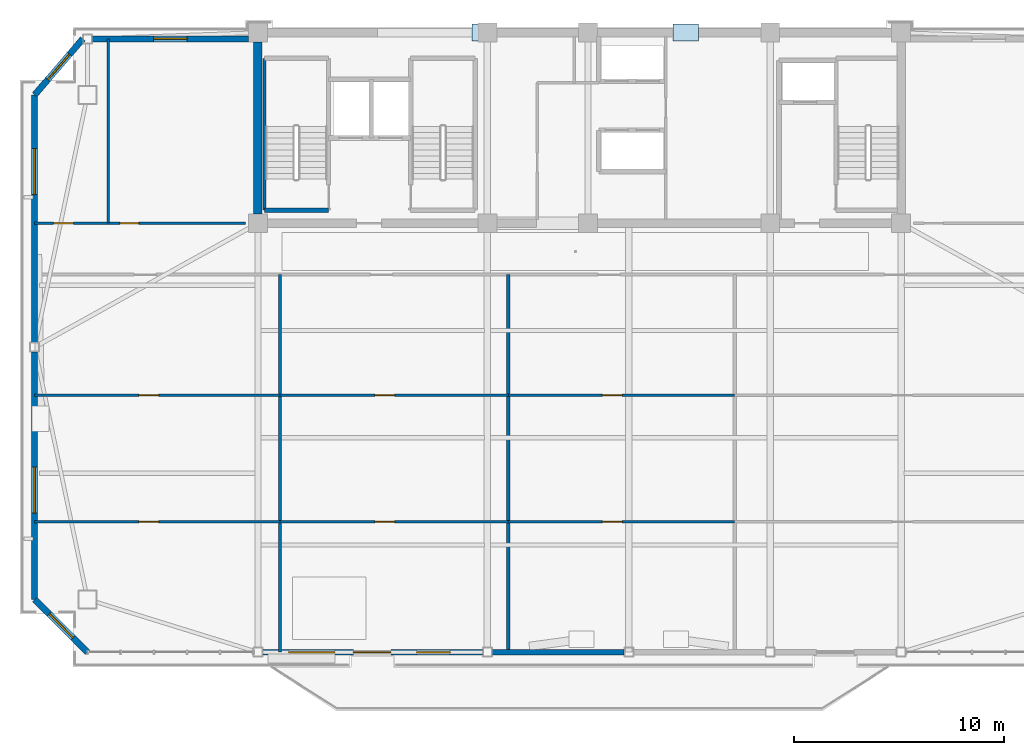
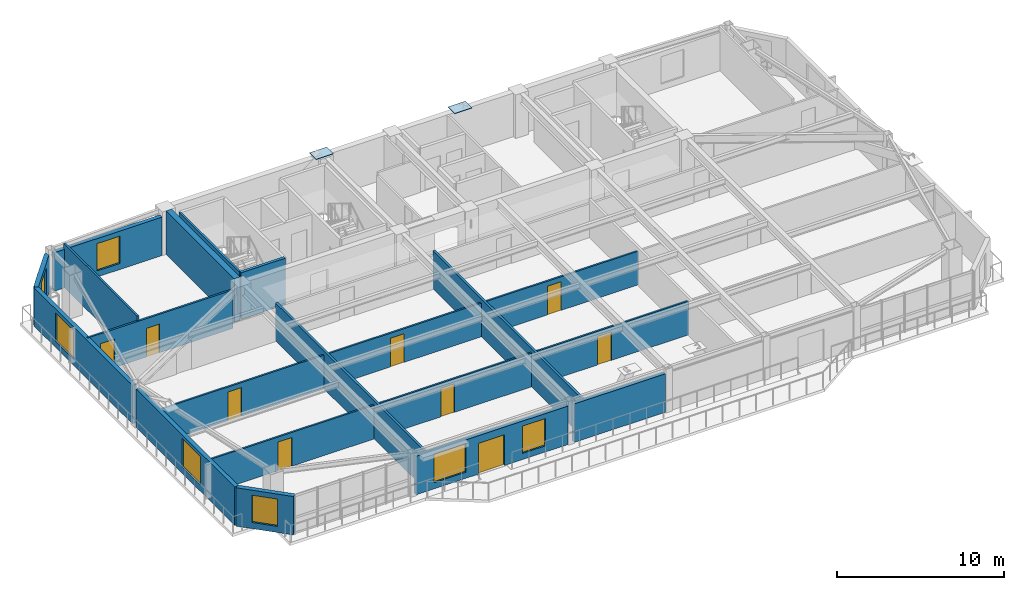
# One storey, part 8 of 16: 20 walls, 9 doors, 7 windows, 2 plates, 16 openings.
"""IFC4 building model written with IfcOpenShell, lengths in metres."""

from ifc_helpers import new_model, si_unit, direction, frame, frame_2d, origin, origin_2d, place, context, subcontext, project, spatial, rectangle, extrude, source, transform, mapped, material, layer, layer_set, type_object, element, fill, save


model = new_model("IFC4")

# Units and contexts
model_context = context("Model", 3, precision=1e-05, world=origin(), true_north=direction((0.0, 1.0)))
body_context = subcontext(model_context, "Body", "Model", "MODEL_VIEW")
ifc_project = project(units=[si_unit("LENGTHUNIT", "METRE"), si_unit("AREAUNIT", "SQUARE_METRE"), si_unit("VOLUMEUNIT", "CUBIC_METRE"), si_unit("PLANEANGLEUNIT", "RADIAN"), si_unit("MASSUNIT", "GRAM", prefix="KILO")], contexts=[model_context])

# Site, building, storey
site_placement = place(None, origin())
site = spatial("IfcSite", under=ifc_project, at=site_placement, CompositionType="ELEMENT")
building_placement = place(site_placement, origin())
building = spatial("IfcBuilding", under=site, at=building_placement, Name="Giltprow Tower", CompositionType="ELEMENT")
storey_placement = place(building_placement, frame((0.0, 0.0, 272.300048828125)))
storey = spatial("IfcBuildingStorey", under=building, at=storey_placement, Name="L70", CompositionType="ELEMENT", Elevation=272.300048828125)

# Plates
ifc_material_1 = material(Name="Structural steel Q420GJC", Category="steel")
plate_type = type_object("IfcPlateType", Name="PLT-CAP-SEAL", PredefinedType="USERDEFINED", material=ifc_material_1)
shared_shape_1 = source(origin(), body_context, "Body", "SweptSolid", [
    extrude(rectangle(XDim=1.199951171875, YDim=0.800048828125, at=origin_2d()), origin(), (0.0, 0.0, 1.0), 0.034912109375),
])
for number, where, z_axis, x_axis, name in (
    (1, (30.6669921875, 46.550048828125, 3.24267578125), (0.0, 0.0, 1.0), (1.0, 0.0, 0.0), "Mega-Brace Node L70-N-LB"),
    (2, (40.26708984375, 46.550048828125, 3.24267578125), (0.0, 0.0, 1.0), (1.0, 0.0, 0.0), "Mega-Brace Node L70-N-RB"),
):
    element("IfcPlate", number, at=place(storey_placement, frame(where, z_axis=z_axis, x_axis=x_axis)), inside=storey, type_object=plate_type, Name=name, ObjectType="SPLICE", PredefinedType="USERDEFINED", context=body_context, shape_type="MappedRepresentation", body=[
        mapped(shared_shape_1, transform((0.0, 0.0, 0.0), x_axis=(1.0, 0.0, 0.0), y_axis=(0.0, 1.0, 0.0), z_axis=(0.0, 0.0, 1.0), scale=1.0)),
    ])

# Wall, opening, window
ifc_material_2 = material(Name="Precast concrete C40", Category="concrete")
ifc_layer_1 = layer(ifc_material_2, 0.300048828125, Name="Precast concrete C40")
ifc_layer_set_1 = layer_set([ifc_layer_1], Name="Precast concrete C40")
wall_type_1 = type_object("IfcWallType", Name="EW-NOTCH-CHAMFER-300", PredefinedType="SOLIDWALL", material=ifc_layer_set_1)
wall_1_placement = place(storey_placement, frame((9.194091796875, 19.4990234375, 0.0), z_axis=(0.0, 0.0, 1.0), x_axis=(0.707106781187, -0.707106781187, 0.0)))
wall_1 = element("IfcWall", 3, at=wall_1_placement, inside=storey, type_object=wall_type_1, Name="L70 Corner Notch Wall SW", PredefinedType="SOLIDWALL", context=body_context, shape_type="SweptSolid", body=[
    extrude(rectangle(XDim=3.56787109375, YDim=0.300048828125, at=frame_2d((1.783935546875, 0.0))), origin(), (0.0, 0.0, 1.0), 2.81494140625),
])
opening_1_placement = place(wall_1_placement, frame((0.98388671875, 0.0, 0.449951171875)))
opening_1 = element("IfcOpeningElement", 4, at=opening_1_placement, cuts=wall_1, Name="Opening WN17", PredefinedType="OPENING", context=body_context, shape_type="SweptSolid", body=[
    extrude(rectangle(XDim=1.60009765625, YDim=2.0, at=frame_2d((0.800048828125, 1.0))), frame((0.0, 0.159912109375, 0.0), z_axis=(0.0, -1.0, 0.0), x_axis=(1.0, 0.0, 0.0)), (0.0, 0.0, 1.0), 0.320068359375),
])
ifc_material_3 = material(Name="Insulated glass", Category="glass")
window_type_1 = type_object("IfcWindowType", Name="WN-COR-1600x2000", PartitioningType="SINGLE_PANEL", PredefinedType="WINDOW", material=ifc_material_3)
shared_shape_2 = source(origin(), body_context, "Body", "SweptSolid", [
    extrude(rectangle(XDim=1.60009765625, YDim=2.0, at=frame_2d((0.800048828125, 1.0))), frame((0.0, 0.030029296875, 0.0), z_axis=(0.0, -1.0, 0.0), x_axis=(1.0, 0.0, 0.0)), (0.0, 0.0, 1.0), 0.06005859375),
])
window_1_placement = place(opening_1_placement, origin())
window_1 = element("IfcWindow", 5, at=window_1_placement, inside=storey, type_object=window_type_1, Name="L70 Corner Notch Window SW", OverallHeight=2.0, OverallWidth=1.60009765625, PartitioningType="SINGLE_PANEL", PredefinedType="WINDOW", context=body_context, shape_type="MappedRepresentation", body=[
    mapped(shared_shape_2, transform((0.0, 0.0, 0.0), x_axis=(1.0, 0.0, 0.0), y_axis=(0.0, 1.0, 0.0), z_axis=(0.0, 0.0, 1.0), scale=1.0)),
])
fill(opening_1, window_1)

wall_2_placement = place(storey_placement, frame((11.491943359375, 46.25, 0.0), z_axis=(0.0, 0.0, 1.0), x_axis=(-0.651874424669, -0.75832693112, 0.0)))
wall_2 = element("IfcWall", 6, at=wall_2_placement, inside=storey, type_object=wall_type_1, Name="L70 Corner Notch Wall NW", PredefinedType="SOLIDWALL", context=body_context, shape_type="SweptSolid", body=[
    extrude(rectangle(XDim=3.52490234375, YDim=0.300048828125, at=frame_2d((1.762451171875, 0.0))), origin(), (0.0, 0.0, 1.0), 2.81494140625),
])
opening_2_placement = place(wall_2_placement, frame((0.962890625, 0.0, 0.449951171875)))
opening_2 = element("IfcOpeningElement", 7, at=opening_2_placement, cuts=wall_2, Name="Opening WN17", PredefinedType="OPENING", context=body_context, shape_type="SweptSolid", body=[
    extrude(rectangle(XDim=1.60009765625, YDim=2.0, at=frame_2d((0.800048828125, 1.0))), frame((0.0, 0.159912109375, 0.0), z_axis=(0.0, -1.0, 0.0), x_axis=(1.0, 0.0, 0.0)), (0.0, 0.0, 1.0), 0.320068359375),
])
window_2_placement = place(opening_2_placement, origin())
window_2 = element("IfcWindow", 8, at=window_2_placement, inside=storey, type_object=window_type_1, Name="L70 Corner Notch Window NW", OverallHeight=2.0, OverallWidth=1.60009765625, PartitioningType="SINGLE_PANEL", PredefinedType="WINDOW", context=body_context, shape_type="MappedRepresentation", body=[
    mapped(shared_shape_2, transform((0.0, 0.0, 0.0), x_axis=(1.0, 0.0, 0.0), y_axis=(0.0, 1.0, 0.0), z_axis=(0.0, 0.0, 1.0), scale=1.0)),
])
fill(opening_2, window_2)

# Wall, openings, windows, door
ifc_layer_2 = layer(ifc_material_2, 0.280029296875, Name="Precast concrete C40")
ifc_layer_set_2 = layer_set([ifc_layer_2], Name="Precast concrete C40")
wall_type_2 = type_object("IfcWallType", Name="EW-TOW-BRONZE-280", PredefinedType="SOLIDWALL", material=ifc_layer_set_2)
wall_3_placement = place(storey_placement, frame((20.074951171875, 16.97607421875, 0.0), z_axis=(0.0, 0.0, 1.0), x_axis=(1.0, 0.0, 0.0)))
wall_3 = element("IfcWall", 9, at=wall_3_placement, inside=storey, type_object=wall_type_2, Name="L70 South Expressed Frame Wall 2", PredefinedType="SOLIDWALL", context=body_context, shape_type="SweptSolid", body=[
    extrude(rectangle(XDim=10.5, YDim=0.280029296875, at=frame_2d((5.25, 0.0))), origin(), (0.0, 0.0, 1.0), 2.81494140625),
])
opening_3_placement = place(wall_3_placement, frame((4.324951171875, 0.0, 0.0)))
opening_3 = element("IfcOpeningElement", 10, at=opening_3_placement, cuts=wall_3, Name="Opening ED25", PredefinedType="OPENING", context=body_context, shape_type="SweptSolid", body=[
    extrude(rectangle(XDim=1.800048828125, YDim=2.25, at=frame_2d((0.89990234375, 1.125))), frame((0.0, 0.14990234375, 0.0), z_axis=(0.0, -1.0, 0.0), x_axis=(1.0, 0.0, 0.0)), (0.0, 0.0, 1.0), 0.300048828125),
])
opening_4_placement = place(wall_3_placement, frame((1.2451171875, 0.0, 0.449951171875)))
opening_4 = element("IfcOpeningElement", 11, at=opening_4_placement, cuts=wall_3, Name="Opening WN27", PredefinedType="OPENING", context=body_context, shape_type="SweptSolid", body=[
    extrude(rectangle(XDim=2.199951171875, YDim=2.10009765625, at=frame_2d((1.10009765625, 1.050048828125))), frame((0.0, 0.14990234375, 0.0), z_axis=(0.0, -1.0, 0.0), x_axis=(1.0, 0.0, 0.0)), (0.0, 0.0, 1.0), 0.300048828125),
])
opening_5_placement = place(wall_3_placement, frame((7.35009765625, 0.0, 0.449951171875)))
opening_5 = element("IfcOpeningElement", 12, at=opening_5_placement, cuts=wall_3, Name="Opening WN17", PredefinedType="OPENING", context=body_context, shape_type="SweptSolid", body=[
    extrude(rectangle(XDim=1.60009765625, YDim=2.0, at=frame_2d((0.800048828125, 1.0))), frame((0.0, 0.14990234375, 0.0), z_axis=(0.0, -1.0, 0.0), x_axis=(1.0, 0.0, 0.0)), (0.0, 0.0, 1.0), 0.300048828125),
])
window_3_placement = place(opening_5_placement, origin())
window_3 = element("IfcWindow", 13, at=window_3_placement, inside=storey, type_object=window_type_1, Name="L70 South Window 2B", OverallHeight=2.0, OverallWidth=1.60009765625, PartitioningType="SINGLE_PANEL", PredefinedType="WINDOW", context=body_context, shape_type="MappedRepresentation", body=[
    mapped(shared_shape_2, transform((0.0, 0.0, 0.0), x_axis=(1.0, 0.0, 0.0), y_axis=(0.0, 1.0, 0.0), z_axis=(0.0, 0.0, 1.0), scale=1.0)),
])
fill(opening_5, window_3)
ifc_material_4 = material(Name="Anodized bronze and glass", Category="glass")
door_type_1 = type_object("IfcDoorType", Name="DR-BALC-SLIDE-1800", OperationType="SLIDING_TO_LEFT", PredefinedType="DOOR", material=ifc_material_4)
shared_shape_3 = source(origin(), body_context, "Body", "SweptSolid", [
    extrude(rectangle(XDim=1.800048828125, YDim=2.25, at=frame_2d((0.89990234375, 1.125))), frame((0.0, 0.02490234375, 0.0), z_axis=(0.0, -1.0, 0.0), x_axis=(1.0, 0.0, 0.0)), (0.0, 0.0, 1.0), 0.050048828125),
])
door_1_placement = place(opening_3_placement, origin())
door_1 = element("IfcDoor", 14, at=door_1_placement, inside=storey, type_object=door_type_1, Name="L70 Waterfront Balcony Sliding Door 1", OperationType="SLIDING_TO_LEFT", OverallHeight=2.25, OverallWidth=1.800048828125, PredefinedType="DOOR", context=body_context, shape_type="MappedRepresentation", body=[
    mapped(shared_shape_3, transform((0.0, 0.0, 0.0), x_axis=(1.0, 0.0, 0.0), y_axis=(0.0, 1.0, 0.0), z_axis=(0.0, 0.0, 1.0), scale=1.0)),
])
fill(opening_3, door_1)
window_type_2 = type_object("IfcWindowType", Name="WN-RES-2200x2100", PartitioningType="TRIPLE_PANEL_VERTICAL", PredefinedType="WINDOW", material=ifc_material_3)
shared_shape_4 = source(origin(), body_context, "Body", "SweptSolid", [
    extrude(rectangle(XDim=2.199951171875, YDim=2.10009765625, at=frame_2d((1.10009765625, 1.050048828125))), frame((0.0, 0.030029296875, 0.0), z_axis=(0.0, -1.0, 0.0), x_axis=(1.0, 0.0, 0.0)), (0.0, 0.0, 1.0), 0.06005859375),
])
window_4_placement = place(opening_4_placement, origin())
window_4 = element("IfcWindow", 15, at=window_4_placement, inside=storey, type_object=window_type_2, Name="L70 South Window 2A", OverallHeight=2.10009765625, OverallWidth=2.199951171875, PartitioningType="SINGLE_PANEL", PredefinedType="WINDOW", context=body_context, shape_type="MappedRepresentation", body=[
    mapped(shared_shape_4, transform((0.0, 0.0, 0.0), x_axis=(1.0, 0.0, 0.0), y_axis=(0.0, 1.0, 0.0), z_axis=(0.0, 0.0, 1.0), scale=1.0)),
])
fill(opening_4, window_4)

# Wall
wall_4_placement = place(storey_placement, frame((31.02490234375, 16.97607421875, 0.0), z_axis=(0.0, 0.0, 1.0), x_axis=(1.0, 0.0, 0.0)))
element("IfcWall", 16, at=wall_4_placement, inside=storey, type_object=wall_type_2, Name="L70 South Expressed Frame Wall 3", PredefinedType="SOLIDWALL", context=body_context, shape_type="SweptSolid", body=[
    extrude(rectangle(XDim=6.300048828125, YDim=0.280029296875, at=frame_2d((3.14990234375, 0.0))), origin(), (0.0, 0.0, 1.0), 2.81494140625),
])

# Wall, opening, window
wall_5_placement = place(storey_placement, frame((9.194091796875, 19.4990234375, 0.0), z_axis=(0.0, 0.0, 1.0), x_axis=(0.0, 1.0, 0.0)))
wall_5 = element("IfcWall", 17, at=wall_5_placement, inside=storey, type_object=wall_type_2, Name="L70 W Wing Masonry Wall 1", PredefinedType="SOLIDWALL", context=body_context, shape_type="SweptSolid", body=[
    extrude(rectangle(XDim=11.81396484375, YDim=0.280029296875, at=frame_2d((5.906982421875, 0.0))), origin(), (0.0, 0.0, 1.0), 2.81494140625),
])
opening_6_placement = place(wall_5_placement, frame((4.110107421875, 0.0, 0.449951171875)))
opening_6 = element("IfcOpeningElement", 18, at=opening_6_placement, cuts=wall_5, Name="Opening WN27", PredefinedType="OPENING", context=body_context, shape_type="SweptSolid", body=[
    extrude(rectangle(XDim=2.199951171875, YDim=2.10009765625, at=frame_2d((1.10009765625, 1.050048828125))), frame((0.0, 0.14990234375, 0.0), z_axis=(0.0, -1.0, 0.0), x_axis=(1.0, 0.0, 0.0)), (0.0, 0.0, 1.0), 0.300048828125),
])
window_5_placement = place(opening_6_placement, origin())
window_5 = element("IfcWindow", 19, at=window_5_placement, inside=storey, type_object=window_type_2, Name="L70 W Wing Window 1-1", OverallHeight=2.10009765625, OverallWidth=2.199951171875, PartitioningType="SINGLE_PANEL", PredefinedType="WINDOW", context=body_context, shape_type="MappedRepresentation", body=[
    mapped(shared_shape_4, transform((0.0, 0.0, 0.0), x_axis=(1.0, 0.0, 0.0), y_axis=(0.0, 1.0, 0.0), z_axis=(0.0, 0.0, 1.0), scale=1.0)),
])
fill(opening_6, window_5)

wall_6_placement = place(storey_placement, frame((9.194091796875, 31.762939453125, 0.0), z_axis=(0.0, 0.0, 1.0), x_axis=(0.0, 1.0, 0.0)))
wall_6 = element("IfcWall", 20, at=wall_6_placement, inside=storey, type_object=wall_type_2, Name="L70 W Wing Masonry Wall 2", PredefinedType="SOLIDWALL", context=body_context, shape_type="SweptSolid", body=[
    extrude(rectangle(XDim=11.81396484375, YDim=0.280029296875, at=frame_2d((5.906982421875, 0.0))), origin(), (0.0, 0.0, 1.0), 2.81494140625),
])
opening_7_placement = place(wall_6_placement, frame((7.049072265625, 0.0, 0.449951171875)))
opening_7 = element("IfcOpeningElement", 21, at=opening_7_placement, cuts=wall_6, Name="Opening WN27", PredefinedType="OPENING", context=body_context, shape_type="SweptSolid", body=[
    extrude(rectangle(XDim=2.199951171875, YDim=2.10009765625, at=frame_2d((1.10009765625, 1.050048828125))), frame((0.0, 0.14990234375, 0.0), z_axis=(0.0, -1.0, 0.0), x_axis=(1.0, 0.0, 0.0)), (0.0, 0.0, 1.0), 0.300048828125),
])
window_6_placement = place(opening_7_placement, origin())
window_6 = element("IfcWindow", 22, at=window_6_placement, inside=storey, type_object=window_type_2, Name="L70 W Wing Window 2-1", OverallHeight=2.10009765625, OverallWidth=2.199951171875, PartitioningType="SINGLE_PANEL", PredefinedType="WINDOW", context=body_context, shape_type="MappedRepresentation", body=[
    mapped(shared_shape_4, transform((0.0, 0.0, 0.0), x_axis=(1.0, 0.0, 0.0), y_axis=(0.0, 1.0, 0.0), z_axis=(0.0, 0.0, 1.0), scale=1.0)),
])
fill(opening_7, window_6)

wall_7_placement = place(storey_placement, frame((11.94189453125, 46.25, 0.0), z_axis=(0.0, 0.0, 1.0), x_axis=(1.0, 0.0, 0.0)))
wall_7 = element("IfcWall", 23, at=wall_7_placement, inside=storey, type_object=wall_type_2, Name="L70 North-West Wing Wall", PredefinedType="SOLIDWALL", context=body_context, shape_type="SweptSolid", body=[
    extrude(rectangle(XDim=7.4580078125, YDim=0.280029296875, at=frame_2d((3.72900390625, 0.0))), origin(), (0.0, 0.0, 1.0), 2.81494140625),
])
opening_8_placement = place(wall_7_placement, frame((2.928955078125, 0.0, 0.449951171875)))
opening_8 = element("IfcOpeningElement", 24, at=opening_8_placement, cuts=wall_7, Name="Opening WN17", PredefinedType="OPENING", context=body_context, shape_type="SweptSolid", body=[
    extrude(rectangle(XDim=1.60009765625, YDim=2.0, at=frame_2d((0.800048828125, 1.0))), frame((0.0, 0.14990234375, 0.0), z_axis=(0.0, -1.0, 0.0), x_axis=(1.0, 0.0, 0.0)), (0.0, 0.0, 1.0), 0.300048828125),
])
window_7_placement = place(opening_8_placement, origin())
window_7 = element("IfcWindow", 25, at=window_7_placement, inside=storey, type_object=window_type_1, Name="L70 North-West Window", OverallHeight=2.0, OverallWidth=1.60009765625, PartitioningType="SINGLE_PANEL", PredefinedType="WINDOW", context=body_context, shape_type="MappedRepresentation", body=[
    mapped(shared_shape_2, transform((0.0, 0.0, 0.0), x_axis=(1.0, 0.0, 0.0), y_axis=(0.0, 1.0, 0.0), z_axis=(0.0, 0.0, 1.0), scale=1.0)),
])
fill(opening_8, window_7)

# Walls
ifc_material_5 = material(Name="Gypsum stud partition", Category="gypsum")
ifc_layer_3 = layer(ifc_material_5, 0.159912109375, Name="Gypsum stud partition")
ifc_layer_set_3 = layer_set([ifc_layer_3], Name="Gypsum stud partition")
wall_type_3 = type_object("IfcWallType", Name="IW-DEMISE-160", PredefinedType="PARTITIONING", material=ifc_layer_set_3)
for number, where, z_axis, x_axis, name in (
    (26, (20.89990234375, 16.97607421875, 0.0), (0.0, 0.0, 1.0), (0.0, 1.0, 0.0), "L70 Apartment Party Wall 1"),
    (27, (31.800048828125, 16.97607421875, 0.0), (0.0, 0.0, 1.0), (0.0, 1.0, 0.0), "L70 Apartment Party Wall 2"),
):
    element("IfcWall", number, at=place(storey_placement, frame(where, z_axis=z_axis, x_axis=x_axis)), inside=storey, type_object=wall_type_3, Name=name, PredefinedType="PARTITIONING", context=body_context, shape_type="SweptSolid", body=[
        extrude(rectangle(XDim=18.02392578125, YDim=0.159912109375, at=frame_2d((9.011962890625, 0.0))), origin(), (0.0, 0.0, 1.0), 2.77001953125),
    ])

# Wall, opening, door
ifc_layer_4 = layer(ifc_material_5, 0.1201171875, Name="Gypsum stud partition")
ifc_layer_set_4 = layer_set([ifc_layer_4], Name="Gypsum stud partition")
wall_type_4 = type_object("IfcWallType", Name="IW-ROOM-120", PredefinedType="PARTITIONING", material=ifc_layer_set_4)
wall_8_placement = place(storey_placement, frame((9.194091796875, 23.208984375, 0.0), z_axis=(0.0, 0.0, 1.0), x_axis=(1.0, 0.0, 0.0)))
wall_8 = element("IfcWall", 28, at=wall_8_placement, inside=storey, type_object=wall_type_4, Name="L70 Special Split 1", PredefinedType="PARTITIONING", context=body_context, shape_type="SweptSolid", body=[
    extrude(rectangle(XDim=11.705810546875, YDim=0.1201171875, at=frame_2d((5.85302734375, 0.0))), origin(), (0.0, 0.0, 1.0), 2.469970703125),
])
opening_9_placement = place(wall_8_placement, frame((4.968017578125, 0.0, 0.0)))
opening_9 = element("IfcOpeningElement", 29, at=opening_9_placement, cuts=wall_8, Name="Opening ID11", PredefinedType="OPENING", context=body_context, shape_type="SweptSolid", body=[
    extrude(rectangle(XDim=0.949951171875, YDim=2.10009765625, at=frame_2d((0.47509765625, 1.050048828125))), frame((0.0, 0.070068359375, 0.0), z_axis=(0.0, -1.0, 0.0), x_axis=(1.0, 0.0, 0.0)), (0.0, 0.0, 1.0), 0.14013671875),
])
ifc_material_6 = material(Name="Engineered timber", Category="wood")
door_type_2 = type_object("IfcDoorType", Name="DR-ROOM-950", OperationType="SINGLE_SWING_RIGHT", PredefinedType="DOOR", material=ifc_material_6)
shared_shape_5 = source(origin(), body_context, "Body", "SweptSolid", [
    extrude(rectangle(XDim=0.949951171875, YDim=2.10009765625, at=frame_2d((0.47509765625, 1.050048828125))), frame((0.0, 0.02490234375, 0.0), z_axis=(0.0, -1.0, 0.0), x_axis=(1.0, 0.0, 0.0)), (0.0, 0.0, 1.0), 0.050048828125),
])
door_2_placement = place(opening_9_placement, origin())
door_2 = element("IfcDoor", 30, at=door_2_placement, inside=storey, type_object=door_type_2, Name="L70 Private Wine Cellar Store 1 South Door", OperationType="SINGLE_SWING_RIGHT", OverallHeight=2.10009765625, OverallWidth=0.949951171875, PredefinedType="DOOR", context=body_context, shape_type="MappedRepresentation", body=[
    mapped(shared_shape_5, transform((0.0, 0.0, 0.0), x_axis=(1.0, 0.0, 0.0), y_axis=(0.0, 1.0, 0.0), z_axis=(0.0, 0.0, 1.0), scale=1.0)),
])
fill(opening_9, door_2)

wall_9_placement = place(storey_placement, frame((9.194091796875, 29.241943359375, 0.0), z_axis=(0.0, 0.0, 1.0), x_axis=(1.0, 0.0, 0.0)))
wall_9 = element("IfcWall", 31, at=wall_9_placement, inside=storey, type_object=wall_type_4, Name="L70 Special Split 2", PredefinedType="PARTITIONING", context=body_context, shape_type="SweptSolid", body=[
    extrude(rectangle(XDim=11.705810546875, YDim=0.1201171875, at=frame_2d((5.85302734375, 0.0))), origin(), (0.0, 0.0, 1.0), 2.469970703125),
])
opening_10_placement = place(wall_9_placement, frame((4.968017578125, 0.0, 0.0)))
opening_10 = element("IfcOpeningElement", 32, at=opening_10_placement, cuts=wall_9, Name="Opening ID11", PredefinedType="OPENING", context=body_context, shape_type="SweptSolid", body=[
    extrude(rectangle(XDim=0.949951171875, YDim=2.10009765625, at=frame_2d((0.47509765625, 1.050048828125))), frame((0.0, 0.070068359375, 0.0), z_axis=(0.0, -1.0, 0.0), x_axis=(1.0, 0.0, 0.0)), (0.0, 0.0, 1.0), 0.14013671875),
])
door_3_placement = place(opening_10_placement, origin())
door_3 = element("IfcDoor", 33, at=door_3_placement, inside=storey, type_object=door_type_2, Name="L70 Private Wine Cellar Store 1 Mid Door", OperationType="SINGLE_SWING_LEFT", OverallHeight=2.10009765625, OverallWidth=0.949951171875, PredefinedType="DOOR", context=body_context, shape_type="MappedRepresentation", body=[
    mapped(shared_shape_5, transform((0.0, 0.0, 0.0), x_axis=(1.0, 0.0, 0.0), y_axis=(0.0, 1.0, 0.0), z_axis=(0.0, 0.0, 1.0), scale=1.0)),
])
fill(opening_10, door_3)

wall_10_placement = place(storey_placement, frame((20.89990234375, 23.208984375, 0.0), z_axis=(0.0, 0.0, 1.0), x_axis=(1.0, 0.0, 0.0)))
wall_10 = element("IfcWall", 34, at=wall_10_placement, inside=storey, type_object=wall_type_4, Name="L70 Special Split 1", PredefinedType="PARTITIONING", context=body_context, shape_type="SweptSolid", body=[
    extrude(rectangle(XDim=10.900146484375, YDim=0.1201171875, at=frame_2d((5.4501953125, 0.0))), origin(), (0.0, 0.0, 1.0), 2.469970703125),
])
opening_11_placement = place(wall_10_placement, frame((4.52587890625, 0.0, 0.0)))
opening_11 = element("IfcOpeningElement", 35, at=opening_11_placement, cuts=wall_10, Name="Opening ID11", PredefinedType="OPENING", context=body_context, shape_type="SweptSolid", body=[
    extrude(rectangle(XDim=0.949951171875, YDim=2.10009765625, at=frame_2d((0.47509765625, 1.050048828125))), frame((0.0, 0.070068359375, 0.0), z_axis=(0.0, -1.0, 0.0), x_axis=(1.0, 0.0, 0.0)), (0.0, 0.0, 1.0), 0.14013671875),
])
door_4_placement = place(opening_11_placement, origin())
door_4 = element("IfcDoor", 36, at=door_4_placement, inside=storey, type_object=door_type_2, Name="L70 Residents Sky Club Lounge South Door", OperationType="SINGLE_SWING_LEFT", OverallHeight=2.10009765625, OverallWidth=0.949951171875, PredefinedType="DOOR", context=body_context, shape_type="MappedRepresentation", body=[
    mapped(shared_shape_5, transform((0.0, 0.0, 0.0), x_axis=(1.0, 0.0, 0.0), y_axis=(0.0, 1.0, 0.0), z_axis=(0.0, 0.0, 1.0), scale=1.0)),
])
fill(opening_11, door_4)

wall_11_placement = place(storey_placement, frame((20.89990234375, 29.241943359375, 0.0), z_axis=(0.0, 0.0, 1.0), x_axis=(1.0, 0.0, 0.0)))
wall_11 = element("IfcWall", 37, at=wall_11_placement, inside=storey, type_object=wall_type_4, Name="L70 Special Split 2", PredefinedType="PARTITIONING", context=body_context, shape_type="SweptSolid", body=[
    extrude(rectangle(XDim=10.900146484375, YDim=0.1201171875, at=frame_2d((5.4501953125, 0.0))), origin(), (0.0, 0.0, 1.0), 2.469970703125),
])
opening_12_placement = place(wall_11_placement, frame((4.52587890625, 0.0, 0.0)))
opening_12 = element("IfcOpeningElement", 38, at=opening_12_placement, cuts=wall_11, Name="Opening ID11", PredefinedType="OPENING", context=body_context, shape_type="SweptSolid", body=[
    extrude(rectangle(XDim=0.949951171875, YDim=2.10009765625, at=frame_2d((0.47509765625, 1.050048828125))), frame((0.0, 0.070068359375, 0.0), z_axis=(0.0, -1.0, 0.0), x_axis=(1.0, 0.0, 0.0)), (0.0, 0.0, 1.0), 0.14013671875),
])
door_5_placement = place(opening_12_placement, origin())
door_5 = element("IfcDoor", 39, at=door_5_placement, inside=storey, type_object=door_type_2, Name="L70 Residents Sky Club Lounge Mid Door", OperationType="SINGLE_SWING_RIGHT", OverallHeight=2.10009765625, OverallWidth=0.949951171875, PredefinedType="DOOR", context=body_context, shape_type="MappedRepresentation", body=[
    mapped(shared_shape_5, transform((0.0, 0.0, 0.0), x_axis=(1.0, 0.0, 0.0), y_axis=(0.0, 1.0, 0.0), z_axis=(0.0, 0.0, 1.0), scale=1.0)),
])
fill(opening_12, door_5)

wall_12_placement = place(storey_placement, frame((31.800048828125, 23.208984375, 0.0), z_axis=(0.0, 0.0, 1.0), x_axis=(1.0, 0.0, 0.0)))
wall_12 = element("IfcWall", 40, at=wall_12_placement, inside=storey, type_object=wall_type_4, Name="L70 Special Split 1", PredefinedType="PARTITIONING", context=body_context, shape_type="SweptSolid", body=[
    extrude(rectangle(XDim=10.800048828125, YDim=0.1201171875, at=frame_2d((5.39990234375, 0.0))), origin(), (0.0, 0.0, 1.0), 2.469970703125),
])
opening_13_placement = place(wall_12_placement, frame((4.486083984375, 0.0, 0.0)))
opening_13 = element("IfcOpeningElement", 41, at=opening_13_placement, cuts=wall_12, Name="Opening ID11", PredefinedType="OPENING", context=body_context, shape_type="SweptSolid", body=[
    extrude(rectangle(XDim=0.949951171875, YDim=2.10009765625, at=frame_2d((0.47509765625, 1.050048828125))), frame((0.0, 0.070068359375, 0.0), z_axis=(0.0, -1.0, 0.0), x_axis=(1.0, 0.0, 0.0)), (0.0, 0.0, 1.0), 0.14013671875),
])
door_6_placement = place(opening_13_placement, origin())
door_6 = element("IfcDoor", 42, at=door_6_placement, inside=storey, type_object=door_type_2, Name="L70 Residents Sky Club Lounge South Door", OperationType="SINGLE_SWING_RIGHT", OverallHeight=2.10009765625, OverallWidth=0.949951171875, PredefinedType="DOOR", context=body_context, shape_type="MappedRepresentation", body=[
    mapped(shared_shape_5, transform((0.0, 0.0, 0.0), x_axis=(1.0, 0.0, 0.0), y_axis=(0.0, 1.0, 0.0), z_axis=(0.0, 0.0, 1.0), scale=1.0)),
])
fill(opening_13, door_6)

wall_13_placement = place(storey_placement, frame((31.800048828125, 29.241943359375, 0.0), z_axis=(0.0, 0.0, 1.0), x_axis=(1.0, 0.0, 0.0)))
wall_13 = element("IfcWall", 43, at=wall_13_placement, inside=storey, type_object=wall_type_4, Name="L70 Special Split 2", PredefinedType="PARTITIONING", context=body_context, shape_type="SweptSolid", body=[
    extrude(rectangle(XDim=10.800048828125, YDim=0.1201171875, at=frame_2d((5.39990234375, 0.0))), origin(), (0.0, 0.0, 1.0), 2.469970703125),
])
opening_14_placement = place(wall_13_placement, frame((4.486083984375, 0.0, 0.0)))
opening_14 = element("IfcOpeningElement", 44, at=opening_14_placement, cuts=wall_13, Name="Opening ID11", PredefinedType="OPENING", context=body_context, shape_type="SweptSolid", body=[
    extrude(rectangle(XDim=0.949951171875, YDim=2.10009765625, at=frame_2d((0.47509765625, 1.050048828125))), frame((0.0, 0.070068359375, 0.0), z_axis=(0.0, -1.0, 0.0), x_axis=(1.0, 0.0, 0.0)), (0.0, 0.0, 1.0), 0.14013671875),
])
door_7_placement = place(opening_14_placement, origin())
door_7 = element("IfcDoor", 45, at=door_7_placement, inside=storey, type_object=door_type_2, Name="L70 Residents Sky Club Lounge Mid Door", OperationType="SINGLE_SWING_LEFT", OverallHeight=2.10009765625, OverallWidth=0.949951171875, PredefinedType="DOOR", context=body_context, shape_type="MappedRepresentation", body=[
    mapped(shared_shape_5, transform((0.0, 0.0, 0.0), x_axis=(1.0, 0.0, 0.0), y_axis=(0.0, 1.0, 0.0), z_axis=(0.0, 0.0, 1.0), scale=1.0)),
])
fill(opening_14, door_7)

# Walls
ifc_material_7 = material(Name="Concrete C45", Category="concrete")
ifc_layer_5 = layer(ifc_material_7, 0.139892578125, Name="Concrete C45")
ifc_layer_set_5 = layer_set([ifc_layer_5], Name="Concrete C45")
wall_type_5 = type_object("IfcWallType", Name="IW-STAIR-140", PredefinedType="SOLIDWALL", material=ifc_layer_set_5)
wall_14_placement = place(storey_placement, frame((20.169921875, 38.070068359375, 0.0), z_axis=(0.0, 0.0, 1.0), x_axis=(0.0, 1.0, 0.0)))
element("IfcWall", 46, at=wall_14_placement, inside=storey, type_object=wall_type_5, Name="L70 Stair ST-1 West Bearing Wall", PredefinedType="SOLIDWALL", context=body_context, shape_type="SweptSolid", body=[
    extrude(rectangle(XDim=7.25, YDim=0.139892578125, at=frame_2d((3.625, 0.0))), origin(), (0.0, 0.0, 1.0), 3.39990234375),
])
ifc_material_8 = material(Name="Concrete C40", Category="concrete")
ifc_layer_6 = layer(ifc_material_8, 0.199951171875, Name="Concrete C40")
ifc_layer_set_6 = layer_set([ifc_layer_6], Name="Concrete C40")
wall_type_6 = type_object("IfcWallType", Name="IW-STAIR-200", PredefinedType="SOLIDWALL", material=ifc_layer_set_6)
wall_15_placement = place(storey_placement, frame((20.169921875, 38.070068359375, 0.0), z_axis=(0.0, 0.0, 1.0), x_axis=(1.0, 0.0, 0.0)))
element("IfcWall", 47, at=wall_15_placement, inside=storey, type_object=wall_type_6, Name="L70 Stair ST-1 South Bearing Wall", PredefinedType="SOLIDWALL", context=body_context, shape_type="SweptSolid", body=[
    extrude(rectangle(XDim=3.050048828125, YDim=0.199951171875, at=frame_2d((1.52490234375, 0.0))), origin(), (0.0, 0.0, 1.0), 3.39990234375),
])

# Wall, openings, doors
ifc_material_9 = material(Name="Concrete C30", Category="concrete")
ifc_layer_7 = layer(ifc_material_9, 0.1298828125, Name="Concrete C30")
ifc_layer_set_7 = layer_set([ifc_layer_7], Name="Concrete C30")
wall_type_7 = type_object("IfcWallType", Name="IW-WET-130", PredefinedType="PARTITIONING", material=ifc_layer_set_7)
wall_16_placement = place(storey_placement, frame((9.194091796875, 37.449951171875, 0.0), z_axis=(0.0, 0.0, 1.0), x_axis=(1.0, 0.0, 0.0)))
wall_16 = element("IfcWall", 48, at=wall_16_placement, inside=storey, type_object=wall_type_7, Name="L70 NW Wing South Wall", PredefinedType="PARTITIONING", context=body_context, shape_type="SweptSolid", body=[
    extrude(rectangle(XDim=10.055908203125, YDim=0.1298828125, at=frame_2d((5.02783203125, 0.0))), origin(), (0.0, 0.0, 1.0), 2.820068359375),
])
opening_15_placement = place(wall_16_placement, frame((0.89990234375, 0.0, 0.0)))
opening_15 = element("IfcOpeningElement", 49, at=opening_15_placement, cuts=wall_16, Name="Opening ID11", PredefinedType="OPENING", context=body_context, shape_type="SweptSolid", body=[
    extrude(rectangle(XDim=0.949951171875, YDim=2.10009765625, at=frame_2d((0.47509765625, 1.050048828125))), frame((0.0, 0.074951171875, 0.0), z_axis=(0.0, -1.0, 0.0), x_axis=(1.0, 0.0, 0.0)), (0.0, 0.0, 1.0), 0.14990234375),
])
opening_16_placement = place(wall_16_placement, frame((4.06689453125, 0.0, 0.0)))
opening_16 = element("IfcOpeningElement", 50, at=opening_16_placement, cuts=wall_16, Name="Opening ID15", PredefinedType="OPENING", context=body_context, shape_type="SweptSolid", body=[
    extrude(rectangle(XDim=0.89990234375, YDim=2.10009765625, at=frame_2d((0.449951171875, 1.050048828125))), frame((0.0, 0.074951171875, 0.0), z_axis=(0.0, -1.0, 0.0), x_axis=(1.0, 0.0, 0.0)), (0.0, 0.0, 1.0), 0.14990234375),
])
door_type_3 = type_object("IfcDoorType", Name="DR-WC-900", OperationType="SINGLE_SWING_LEFT", PredefinedType="DOOR", material=ifc_material_6)
shared_shape_6 = source(origin(), body_context, "Body", "SweptSolid", [
    extrude(rectangle(XDim=0.89990234375, YDim=2.10009765625, at=frame_2d((0.449951171875, 1.050048828125))), frame((0.0, 0.02490234375, 0.0), z_axis=(0.0, -1.0, 0.0), x_axis=(1.0, 0.0, 0.0)), (0.0, 0.0, 1.0), 0.050048828125),
])
door_8_placement = place(opening_16_placement, origin())
door_8 = element("IfcDoor", 51, at=door_8_placement, inside=storey, type_object=door_type_3, Name="L70 NW Washroom Door", OperationType="SINGLE_SWING_LEFT", OverallHeight=2.10009765625, OverallWidth=0.89990234375, PredefinedType="DOOR", context=body_context, shape_type="MappedRepresentation", body=[
    mapped(shared_shape_6, transform((0.0, 0.0, 0.0), x_axis=(1.0, 0.0, 0.0), y_axis=(0.0, 1.0, 0.0), z_axis=(0.0, 0.0, 1.0), scale=1.0)),
])
fill(opening_16, door_8)
door_9_placement = place(opening_15_placement, origin())
door_9 = element("IfcDoor", 52, at=door_9_placement, inside=storey, type_object=door_type_2, Name="L70 Residents Study Office West Door", OperationType="SINGLE_SWING_RIGHT", OverallHeight=2.10009765625, OverallWidth=0.949951171875, PredefinedType="DOOR", context=body_context, shape_type="MappedRepresentation", body=[
    mapped(shared_shape_5, transform((0.0, 0.0, 0.0), x_axis=(1.0, 0.0, 0.0), y_axis=(0.0, 1.0, 0.0), z_axis=(0.0, 0.0, 1.0), scale=1.0)),
])
fill(opening_15, door_9)

# Walls
wall_17_placement = place(storey_placement, frame((12.7109375, 37.449951171875, 0.0), z_axis=(0.0, 0.0, 1.0), x_axis=(0.0, 1.0, 0.0)))
element("IfcWall", 53, at=wall_17_placement, inside=storey, type_object=wall_type_7, Name="L70 NW Wing Divider", PredefinedType="PARTITIONING", context=body_context, shape_type="SweptSolid", body=[
    extrude(rectangle(XDim=8.800048828125, YDim=0.1298828125, at=frame_2d((4.39990234375, 0.0))), origin(), (0.0, 0.0, 1.0), 3.18505859375),
])
ifc_layer_8 = layer(ifc_material_7, 0.39990234375, Name="Concrete C45")
ifc_layer_set_8 = layer_set([ifc_layer_8], Name="Concrete C45")
wall_type_8 = type_object("IfcWallType", Name="SW-INT-400-C45", PredefinedType="SHEAR", material=ifc_layer_set_8)
wall_18_placement = place(storey_placement, frame((19.85009765625, 37.89990234375, 0.0), z_axis=(0.0, 0.0, 1.0), x_axis=(0.0, 1.0, 0.0)))
element("IfcWall", 54, at=wall_18_placement, inside=storey, type_object=wall_type_8, Name="L70 W Rear Core Shear Wall", PredefinedType="SHEAR", context=body_context, shape_type="SweptSolid", body=[
    extrude(rectangle(XDim=8.2001953125, YDim=0.39990234375, at=frame_2d((4.10009765625, 0.0))), origin(), (0.0, 0.0, 1.0), 3.18505859375),
])

save(model, "model.ifc")
